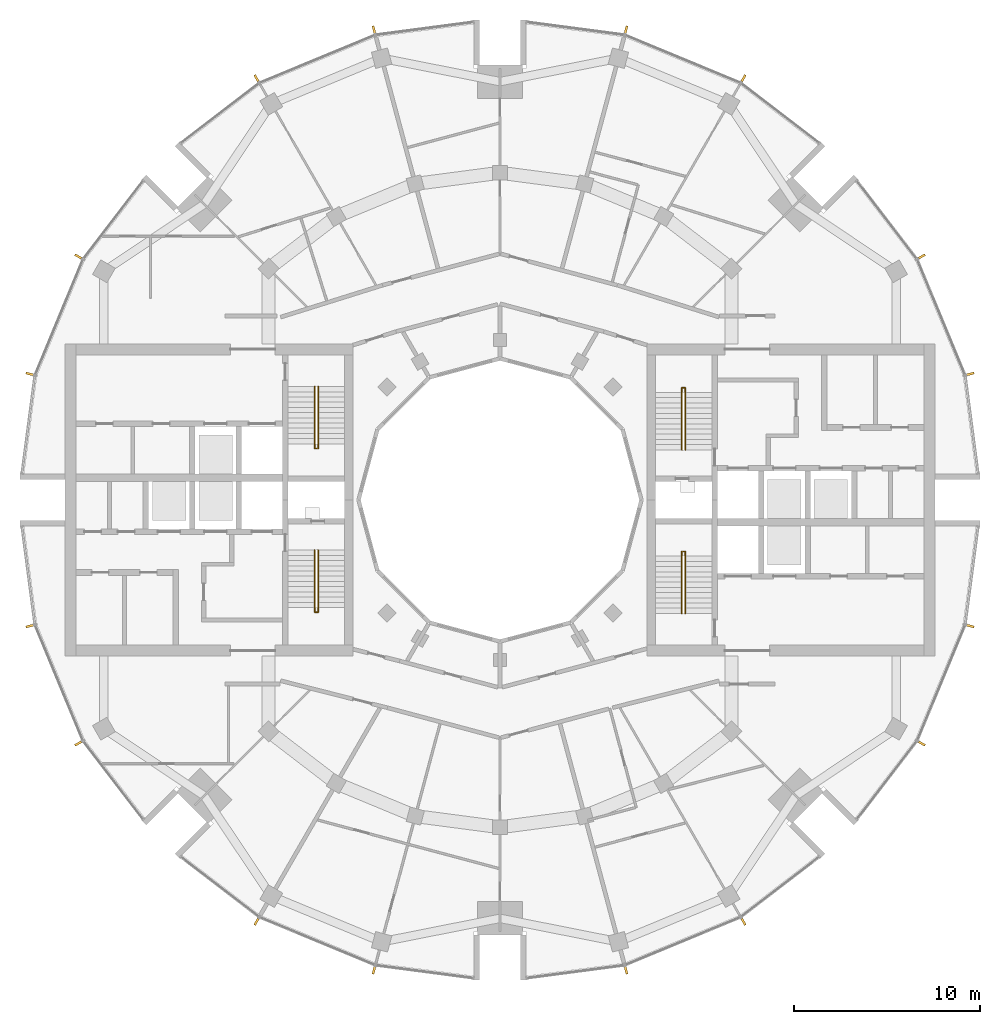
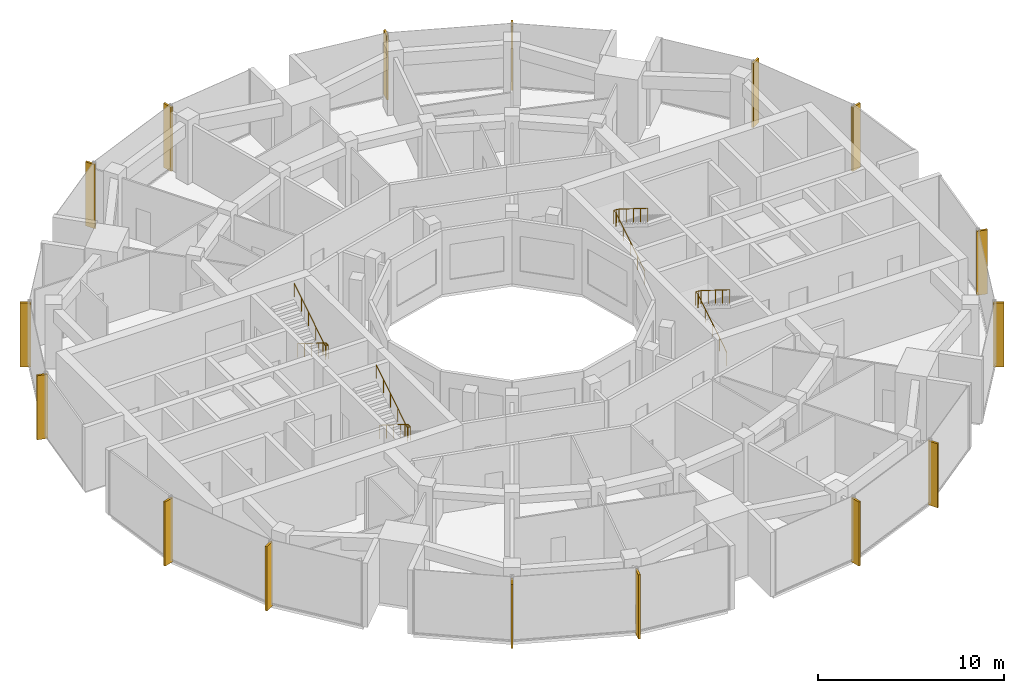
# One storey, part 14 of 15: 16 shading devices, 4 railings.
"""IFC4 building model written with IfcOpenShell, lengths in metres."""

import ifcopenshell
import ifcopenshell.guid

model = None  # the IFC model being written
_history = None  # IfcOwnerHistory: only IFC2X3 demands one
_inside = {}  # id of a spatial element -> (the spatial element, [elements in it])
_under = {}  # id of a project, library or spatial element -> (it, [spatial elements below it])
_declared = {}  # id of a project -> (the project, [libraries it declares])
_typed = {}  # id of a type object -> (the type object, [elements of that type])
_made_of = {}  # id of a material, layer set ... -> (it, [elements and type objects made of it])


def new_model(schema):
    """Start an empty IFC model of exactly this schema.

    Asked for "IFC4X3", IfcOpenShell would pick the latest addendum, in which some entities
    have other attributes; the version numbers below select the first issue.
    IFC2X3 requires an IfcOwnerHistory on every rooted entity: one is made here for all.
    """
    global model, _history
    if schema == "IFC4X3":
        model = ifcopenshell.file(schema_version=(4, 3, 0, 0))
    else:
        model = ifcopenshell.file(schema=schema)
    _inside.clear()
    _under.clear()
    _declared.clear()
    _typed.clear()
    _made_of.clear()
    _history = None
    if model.schema == "IFC2X3":
        org = make("IfcOrganization", Name="unknown")
        user = make(
            "IfcPersonAndOrganization",
            ThePerson=make("IfcPerson", FamilyName="unknown"),
            TheOrganization=org,
        )
        app = make(
            "IfcApplication",
            ApplicationDeveloper=org,
            Version="unknown",
            ApplicationFullName="unknown",
            ApplicationIdentifier="unknown",
        )
        _history = make(
            "IfcOwnerHistory",
            OwningUser=user,
            OwningApplication=app,
            ChangeAction="ADDED",
            CreationDate=0,
        )
    return model


def make(cls, **values):
    """One entity of the class cls with the attributes given. An attribute that is None is left unset."""
    return model.create_entity(
        cls, **{name: value for name, value in values.items() if value is not None}
    )


def rooted(cls, **values):
    """An entity with a GlobalId (a new one), such as an element, a storey or a relation."""
    return make(cls, GlobalId=ifcopenshell.guid.new(), OwnerHistory=_history, **values)


def si_unit(unit_type, name, prefix=None):
    """IfcSIUnit, for example si_unit("LENGTHUNIT", "METRE", prefix="MILLI")."""
    return make("IfcSIUnit", UnitType=unit_type, Prefix=prefix, Name=name)


def assignment(units):
    """IfcUnitAssignment: the units of a project."""
    return None if units is None else make("IfcUnitAssignment", Units=units)


def point(xyz):
    """IfcCartesianPoint."""
    return None if xyz is None else make("IfcCartesianPoint", Coordinates=xyz)


def direction(xyz):
    """IfcDirection."""
    return None if xyz is None else make("IfcDirection", DirectionRatios=xyz)


def frame(location, z_axis=None, x_axis=None):
    """IfcAxis2Placement3D, a coordinate frame: its origin and axes. An axis left out is left unset."""
    return make(
        "IfcAxis2Placement3D",
        Location=point(location),
        Axis=direction(z_axis),
        RefDirection=direction(x_axis),
    )


def frame_2d(location, x_axis=None):
    """IfcAxis2Placement2D, a coordinate frame in the plane: its origin and x axis."""
    return make(
        "IfcAxis2Placement2D", Location=point(location), RefDirection=direction(x_axis)
    )


def origin():
    """The frame at (0, 0, 0) with its axes left unset."""
    return frame((0.0, 0.0, 0.0))


def origin_2d():
    """The frame at (0, 0) in the plane with its x axis left unset."""
    return frame_2d((0.0, 0.0))


def place(relative_to, where):
    """IfcLocalPlacement: puts the frame where relative to a parent placement (None: the world)."""
    return make(
        "IfcLocalPlacement", PlacementRelTo=relative_to, RelativePlacement=where
    )


def context(
    kind, dimensions, precision=None, world=None, true_north=None, identifier=None
):
    """IfcGeometricRepresentationContext, for example the 3D "Model" context."""
    return make(
        "IfcGeometricRepresentationContext",
        ContextIdentifier=identifier,
        ContextType=kind,
        CoordinateSpaceDimension=dimensions,
        Precision=precision,
        WorldCoordinateSystem=world,
        TrueNorth=true_north,
    )


def subcontext(parent, identifier, kind, view, scale=None):
    """IfcGeometricRepresentationSubContext, for example "Body" below "Model"."""
    return make(
        "IfcGeometricRepresentationSubContext",
        ContextIdentifier=identifier,
        ContextType=kind,
        ParentContext=parent,
        TargetScale=scale,
        TargetView=view,
    )


def project(units=None, contexts=None):
    """IfcProject with its units and contexts."""
    return rooted(
        "IfcProject",
        Name="project",
        RepresentationContexts=contexts,
        UnitsInContext=assignment(units),
    )


def spatial(cls, under=None, at=None, **own):
    """A site, building, storey or space (cls), placed at a placement, below another one or the project."""
    s = rooted(cls, ObjectPlacement=at, **own)
    if under is not None:
        _under.setdefault(under.id(), (under, []))[1].append(s)
    return s


def profile(cls, at=None, kind="AREA", **sizes):
    """A parametric profile (cls). Its sizes go by their IFC names, for example OverallWidth=200.0."""
    return make(cls, ProfileType=kind, Position=at, **sizes)


def rectangle(**sizes):
    """IfcRectangleProfileDef."""
    return profile("IfcRectangleProfileDef", **sizes)


def circle(**sizes):
    """IfcCircleProfileDef."""
    return profile("IfcCircleProfileDef", **sizes)


def extrude(swept, where, along, depth):
    """IfcExtrudedAreaSolid: the profile swept, set in the frame where, extruded along a direction by depth."""
    return make(
        "IfcExtrudedAreaSolid",
        SweptArea=swept,
        Position=where,
        ExtrudedDirection=direction(along),
        Depth=depth,
    )


def shape(context_of_items, identifier, shape_type, items):
    """IfcShapeRepresentation: the items that make up one representation, for example the "Body"."""
    return make(
        "IfcShapeRepresentation",
        ContextOfItems=context_of_items,
        RepresentationIdentifier=identifier,
        RepresentationType=shape_type,
        Items=items,
    )


def material(Name=None, Category=None):
    """IfcMaterial."""
    return make("IfcMaterial", Name=Name, Category=Category)


def material_profile(
    of_material, cross_section, Name=None, Category=None, Priority=None
):
    """IfcMaterialProfile: a cross section and its material."""
    return make(
        "IfcMaterialProfile",
        Name=Name,
        Material=of_material,
        Profile=cross_section,
        Priority=Priority,
        Category=Category,
    )


def profile_set(profiles, Name=None, composite=None):
    """IfcMaterialProfileSet."""
    return make(
        "IfcMaterialProfileSet",
        Name=Name,
        MaterialProfiles=profiles,
        CompositeProfile=composite,
    )


def made_of(thing, what):
    """Note that an element or type object is made of a material, layer set ...; save() writes the relation."""
    if what is not None:
        _made_of.setdefault(what.id(), (what, []))[1].append(thing)
    return thing


def type_object(cls, material=None, **own):
    """A type object (cls), such as IfcWallType, which elements share."""
    return made_of(rooted(cls, **own), material)


def element(
    cls,
    number,
    at=None,
    inside=None,
    cuts=None,
    type_object=None,
    material=None,
    context=None,
    identifier="Body",
    shape_type=None,
    held_by="IfcProductDefinitionShape",
    body=None,
    shapes=None,
    **own,
):
    """One element of the class cls, such as IfcWall. Its Tag is "e" and its number.

    at: its placement. inside: the storey or other place that contains it. cuts: it is an
    opening in that element (IfcRelVoidsElement). A single representation is given by context,
    identifier, shape_type and body (its items); several are given by shapes. held_by: the class
    of the entity that holds the representations. save() writes the other relations.
    """
    e = rooted(cls, Tag="e%d" % number, ObjectPlacement=at, **own)
    if body is not None:
        shapes = [shape(context, identifier, shape_type, body)]
    if shapes is not None:
        e.Representation = make(held_by, Representations=shapes)
    if inside is not None:
        _inside.setdefault(inside.id(), (inside, []))[1].append(e)
    if cuts is not None:
        rooted(
            "IfcRelVoidsElement", RelatingBuildingElement=cuts, RelatedOpeningElement=e
        )
    if type_object is not None:
        _typed.setdefault(type_object.id(), (type_object, []))[1].append(e)
    return made_of(e, material)


def aggregate(whole, parts):
    """IfcRelAggregates: a whole, such as a stair, and the parts it consists of."""
    return rooted("IfcRelAggregates", RelatingObject=whole, RelatedObjects=parts)


def save(model, path):
    """Write the relations noted so far, then the file.

    IfcRelAggregates (storeys below a building ...), IfcRelContainedInSpatialStructure (elements
    in a storey), IfcRelDefinesByType, IfcRelAssociatesMaterial and IfcRelDeclares: one each for
    every whole, place, type object, material and project.
    """
    for whole, parts in _under.values():
        aggregate(whole, parts)
    for where, things in _inside.values():
        rooted(
            "IfcRelContainedInSpatialStructure",
            RelatedElements=things,
            RelatingStructure=where,
        )
    for kind, things in _typed.values():
        rooted("IfcRelDefinesByType", RelatedObjects=things, RelatingType=kind)
    for what, things in _made_of.values():
        rooted("IfcRelAssociatesMaterial", RelatedObjects=things, RelatingMaterial=what)
    for by, libraries in _declared.values():
        rooted("IfcRelDeclares", RelatingContext=by, RelatedDefinitions=libraries)
    model.write(path)


model = new_model("IFC4")

# Units and contexts
model_context = context("Model", 3, precision=1e-05, world=origin(), true_north=direction((0.0, 1.0)))
body_context = subcontext(model_context, "Body", "Model", "MODEL_VIEW")
ifc_project = project(units=[si_unit("LENGTHUNIT", "METRE"), si_unit("AREAUNIT", "SQUARE_METRE"), si_unit("VOLUMEUNIT", "CUBIC_METRE"), si_unit("PLANEANGLEUNIT", "RADIAN"), si_unit("MASSUNIT", "GRAM", prefix="KILO")], contexts=[model_context])

# Site, building, storey
site_placement = place(None, origin())
site = spatial("IfcSite", under=ifc_project, at=site_placement, CompositionType="ELEMENT")
building_placement = place(site_placement, origin())
building = spatial("IfcBuilding", under=site, at=building_placement, Name="Torre Brocal", CompositionType="ELEMENT")
storey_placement = place(building_placement, frame((0.0, 0.0, 241.5)))
storey = spatial("IfcBuildingStorey", under=building, at=storey_placement, Name="L55", CompositionType="ELEMENT", Elevation=241.5)

# Shading devices
ifc_material_1 = material(Name="Aluminium, black anodised", Category="aluminium")
ifc_material_profile = material_profile(ifc_material_1, rectangle(XDim=0.1201171875, YDim=0.60009765625, at=origin_2d()), Name="FIN 120X600 4200 HIGH")
ifc_profile_set = profile_set([ifc_material_profile], Name="Aluminium, black anodised")
shading_device_type = type_object("IfcShadingDeviceType", Name="FIN 120X600 4200 HIGH", PredefinedType="USERDEFINED", material=ifc_profile_set)
for number, where, z_axis, x_axis, name in (
    (1, (105.208984375, 81.754638671875, -0.14990234375), (0.0, 0.0, 1.0), (-0.258819045103, 0.965925826289, 0.0), "FIN"),
    (2, (102.601806640625, 88.049072265625, -0.14990234375), (0.0, 0.0, 1.0), (-0.5, 0.866025403784, 0.0), "FIN"),
    (3, (93.049072265625, 97.601806640625, -0.14990234375), (0.0, 0.0, 1.0), (-0.866025403784, 0.5, 0.0), "FIN"),
    (4, (86.754638671875, 100.208984375, -0.14990234375), (0.0, 0.0, 1.0), (-0.965925826289, 0.258819045103, 0.0), "FIN"),
    (5, (73.245361328125, 100.208984375, -0.14990234375), (0.0, 0.0, 1.0), (-0.965925826289, -0.258819045103, 0.0), "FIN"),
    (6, (66.950927734375, 97.601806640625, -0.14990234375), (0.0, 0.0, 1.0), (-0.866025403784, -0.5, 0.0), "FIN"),
    (7, (57.398193359375, 88.049072265625, -0.14990234375), (0.0, 0.0, 1.0), (-0.5, -0.866025403784, 0.0), "FIN"),
    (8, (54.791015625, 81.754638671875, -0.14990234375), (0.0, 0.0, 1.0), (-0.258819045103, -0.965925826289, 0.0), "FIN"),
    (9, (54.791015625, 68.245361328125, -0.14990234375), (0.0, 0.0, 1.0), (0.258819045103, -0.965925826289, 0.0), "FIN"),
    (10, (57.398193359375, 61.950927734375, -0.14990234375), (0.0, 0.0, 1.0), (0.5, -0.866025403784, 0.0), "FIN"),
    (11, (66.950927734375, 52.398193359375, -0.14990234375), (0.0, 0.0, 1.0), (0.866025403784, -0.5, 0.0), "FIN"),
    (12, (73.245361328125, 49.791015625, -0.14990234375), (0.0, 0.0, 1.0), (0.965925826289, -0.258819045103, 0.0), "FIN"),
    (13, (86.754638671875, 49.791015625, -0.14990234375), (0.0, 0.0, 1.0), (0.965925826289, 0.258819045103, 0.0), "FIN"),
    (14, (93.049072265625, 52.398193359375, -0.14990234375), (0.0, 0.0, 1.0), (0.866025403784, 0.5, 0.0), "FIN"),
    (15, (102.601806640625, 61.950927734375, -0.14990234375), (0.0, 0.0, 1.0), (0.5, 0.866025403784, 0.0), "FIN"),
    (16, (105.208984375, 68.245361328125, -0.14990234375), (0.0, 0.0, 1.0), (0.258819045103, 0.965925826289, 0.0), "FIN"),
):
    element("IfcShadingDevice", number, at=place(storey_placement, frame(where, z_axis=z_axis, x_axis=x_axis)), inside=storey, type_object=shading_device_type, Name=name, ObjectType="FIN", PredefinedType="USERDEFINED", context=body_context, shape_type="SweptSolid", body=[
        extrude(rectangle(XDim=0.1201171875, YDim=0.60009765625, at=origin_2d()), origin(), (0.0, 0.0, 1.0), 4.199951171875),
    ])

# Railings
ifc_material_2 = material(Name="Stainless steel AISI 316", Category="steel")
railing_type = type_object("IfcRailingType", Name="STAIR HANDRAIL", PredefinedType="HANDRAIL", material=ifc_material_2)
railing_1_placement = place(storey_placement, frame((89.780029296875, 77.699951171875, 0.175048828125)))
element("IfcRailing", 17, at=railing_1_placement, inside=storey, type_object=railing_type, Name="HANDRAIL ST1", PredefinedType="HANDRAIL", context=body_context, shape_type="SweptSolid", body=[
    extrude(circle(Radius=0.02392578125, at=origin_2d()), frame((0.0, 0.0, 0.8759765625), z_axis=(0.0, 0.847998304005, 0.529998940003), x_axis=(-1.0, 0.0, 0.0)), (0.0, 0.0, 1.0), 3.632080078125),
    extrude(circle(Radius=0.02392578125, at=origin_2d()), frame((0.0, 3.080078125, 2.80078125), z_axis=(0.0, 1.0, 0.0), x_axis=(-1.0, 0.0, 0.0)), (0.0, 0.0, 1.0), 0.25),
    extrude(circle(Radius=0.02392578125, at=origin_2d()), frame((0.0, 3.330078125, 2.80078125), z_axis=(1.0, 0.0, 0.0), x_axis=(0.0, 1.0, 0.0)), (0.0, 0.0, 1.0), 0.18994140625),
    extrude(circle(Radius=0.02392578125, at=origin_2d()), frame((0.18994140625, 3.330078125, 2.80078125), z_axis=(0.0, -0.81953260104, 0.573032560883), x_axis=(1.0, 0.0, 0.0)), (0.0, 0.0, 1.0), 0.304931640625),
    extrude(circle(Radius=0.02392578125, at=origin_2d()), frame((0.18994140625, 3.080078125, 2.9755859375), z_axis=(0.0, -0.847998304005, 0.529998940003), x_axis=(1.0, 0.0, 0.0)), (0.0, 0.0, 1.0), 3.632080078125),
    extrude(circle(Radius=0.02099609375, at=origin_2d()), origin(), (0.0, 0.0, 1.0), 0.851806640625),
    extrude(circle(Radius=0.02099609375, at=origin_2d()), frame((0.0, 0.77001953125, 0.481201171875)), (0.0, 0.0, 1.0), 0.851806640625),
    extrude(circle(Radius=0.02099609375, at=origin_2d()), frame((0.0, 1.5400390625, 0.96240234375)), (0.0, 0.0, 1.0), 0.851806640625),
    extrude(circle(Radius=0.02099609375, at=origin_2d()), frame((0.0, 2.31005859375, 1.44384765625)), (0.0, 0.0, 1.0), 0.851806640625),
    extrude(circle(Radius=0.02099609375, at=origin_2d()), frame((0.0, 3.080078125, 1.925048828125)), (0.0, 0.0, 1.0), 0.851806640625),
    extrude(circle(Radius=0.02099609375, at=origin_2d()), frame((0.0, 3.330078125, 1.925048828125)), (0.0, 0.0, 1.0), 0.851806640625),
    extrude(circle(Radius=0.02099609375, at=origin_2d()), frame((0.18994140625, 3.330078125, 1.925048828125)), (0.0, 0.0, 1.0), 0.851806640625),
    extrude(circle(Radius=0.02099609375, at=origin_2d()), frame((0.18994140625, 3.080078125, 2.099853515625)), (0.0, 0.0, 1.0), 0.851806640625),
    extrude(circle(Radius=0.02099609375, at=origin_2d()), frame((0.18994140625, 2.31005859375, 2.5810546875)), (0.0, 0.0, 1.0), 0.851806640625),
    extrude(circle(Radius=0.02099609375, at=origin_2d()), frame((0.18994140625, 1.5400390625, 3.0625)), (0.0, 0.0, 1.0), 0.851806640625),
    extrude(circle(Radius=0.02099609375, at=origin_2d()), frame((0.18994140625, 0.77001953125, 3.543701171875)), (0.0, 0.0, 1.0), 0.851806640625),
    extrude(circle(Radius=0.02099609375, at=origin_2d()), frame((0.18994140625, 0.0, 4.02490234375)), (0.0, 0.0, 1.0), 0.851806640625),
])
railing_2_placement = place(storey_placement, frame((89.780029296875, 68.89990234375, 0.175048828125)))
element("IfcRailing", 18, at=railing_2_placement, inside=storey, type_object=railing_type, Name="HANDRAIL ST2", PredefinedType="HANDRAIL", context=body_context, shape_type="SweptSolid", body=[
    extrude(circle(Radius=0.02392578125, at=origin_2d()), frame((0.0, 0.0, 0.8759765625), z_axis=(0.0, 0.847998304005, 0.529998940003), x_axis=(-1.0, 0.0, 0.0)), (0.0, 0.0, 1.0), 3.632080078125),
    extrude(circle(Radius=0.02392578125, at=origin_2d()), frame((0.0, 3.080078125, 2.80078125), z_axis=(0.0, 1.0, 0.0), x_axis=(-1.0, 0.0, 0.0)), (0.0, 0.0, 1.0), 0.25),
    extrude(circle(Radius=0.02392578125, at=origin_2d()), frame((0.0, 3.330078125, 2.80078125), z_axis=(1.0, 0.0, 0.0), x_axis=(0.0, 1.0, 0.0)), (0.0, 0.0, 1.0), 0.18994140625),
    extrude(circle(Radius=0.02392578125, at=origin_2d()), frame((0.18994140625, 3.330078125, 2.80078125), z_axis=(0.0, -0.81953260104, 0.573032560883), x_axis=(1.0, 0.0, 0.0)), (0.0, 0.0, 1.0), 0.304931640625),
    extrude(circle(Radius=0.02392578125, at=origin_2d()), frame((0.18994140625, 3.080078125, 2.9755859375), z_axis=(0.0, -0.847998304005, 0.529998940003), x_axis=(1.0, 0.0, 0.0)), (0.0, 0.0, 1.0), 3.632080078125),
    extrude(circle(Radius=0.02099609375, at=origin_2d()), origin(), (0.0, 0.0, 1.0), 0.851806640625),
    extrude(circle(Radius=0.02099609375, at=origin_2d()), frame((0.0, 0.77001953125, 0.481201171875)), (0.0, 0.0, 1.0), 0.851806640625),
    extrude(circle(Radius=0.02099609375, at=origin_2d()), frame((0.0, 1.5400390625, 0.96240234375)), (0.0, 0.0, 1.0), 0.851806640625),
    extrude(circle(Radius=0.02099609375, at=origin_2d()), frame((0.0, 2.31005859375, 1.44384765625)), (0.0, 0.0, 1.0), 0.851806640625),
    extrude(circle(Radius=0.02099609375, at=origin_2d()), frame((0.0, 3.080078125, 1.925048828125)), (0.0, 0.0, 1.0), 0.851806640625),
    extrude(circle(Radius=0.02099609375, at=origin_2d()), frame((0.0, 3.330078125, 1.925048828125)), (0.0, 0.0, 1.0), 0.851806640625),
    extrude(circle(Radius=0.02099609375, at=origin_2d()), frame((0.18994140625, 3.330078125, 1.925048828125)), (0.0, 0.0, 1.0), 0.851806640625),
    extrude(circle(Radius=0.02099609375, at=origin_2d()), frame((0.18994140625, 3.080078125, 2.099853515625)), (0.0, 0.0, 1.0), 0.851806640625),
    extrude(circle(Radius=0.02099609375, at=origin_2d()), frame((0.18994140625, 2.31005859375, 2.5810546875)), (0.0, 0.0, 1.0), 0.851806640625),
    extrude(circle(Radius=0.02099609375, at=origin_2d()), frame((0.18994140625, 1.5400390625, 3.0625)), (0.0, 0.0, 1.0), 0.851806640625),
    extrude(circle(Radius=0.02099609375, at=origin_2d()), frame((0.18994140625, 0.77001953125, 3.543701171875)), (0.0, 0.0, 1.0), 0.851806640625),
    extrude(circle(Radius=0.02099609375, at=origin_2d()), frame((0.18994140625, 0.0, 4.02490234375)), (0.0, 0.0, 1.0), 0.851806640625),
])
railing_3_placement = place(storey_placement, frame((70.219970703125, 72.300048828125, 0.175048828125)))
element("IfcRailing", 19, at=railing_3_placement, inside=storey, type_object=railing_type, Name="HANDRAIL ST3", PredefinedType="HANDRAIL", context=body_context, shape_type="SweptSolid", body=[
    extrude(circle(Radius=0.02392578125, at=origin_2d()), frame((0.0, 0.0, 0.8759765625), z_axis=(0.0, -0.847998304005, 0.529998940003), x_axis=(1.0, 0.0, 0.0)), (0.0, 0.0, 1.0), 3.632080078125),
    extrude(circle(Radius=0.02392578125, at=origin_2d()), frame((0.0, -3.080078125, 2.80078125), z_axis=(0.0, -1.0, 0.0), x_axis=(1.0, 0.0, 0.0)), (0.0, 0.0, 1.0), 0.25),
    extrude(circle(Radius=0.02392578125, at=origin_2d()), frame((0.0, -3.330078125, 2.80078125), z_axis=(-1.0, 0.0, 0.0), x_axis=(0.0, -1.0, 0.0)), (0.0, 0.0, 1.0), 0.18994140625),
    extrude(circle(Radius=0.02392578125, at=origin_2d()), frame((-0.18994140625, -3.330078125, 2.80078125), z_axis=(0.0, 0.81953260104, 0.573032560883), x_axis=(-1.0, 0.0, 0.0)), (0.0, 0.0, 1.0), 0.304931640625),
    extrude(circle(Radius=0.02392578125, at=origin_2d()), frame((-0.18994140625, -3.080078125, 2.9755859375), z_axis=(0.0, 0.847998304005, 0.529998940003), x_axis=(-1.0, 0.0, 0.0)), (0.0, 0.0, 1.0), 3.632080078125),
    extrude(circle(Radius=0.02099609375, at=origin_2d()), origin(), (0.0, 0.0, 1.0), 0.851806640625),
    extrude(circle(Radius=0.02099609375, at=origin_2d()), frame((0.0, -0.77001953125, 0.481201171875)), (0.0, 0.0, 1.0), 0.851806640625),
    extrude(circle(Radius=0.02099609375, at=origin_2d()), frame((0.0, -1.5400390625, 0.96240234375)), (0.0, 0.0, 1.0), 0.851806640625),
    extrude(circle(Radius=0.02099609375, at=origin_2d()), frame((0.0, -2.31005859375, 1.44384765625)), (0.0, 0.0, 1.0), 0.851806640625),
    extrude(circle(Radius=0.02099609375, at=origin_2d()), frame((0.0, -3.080078125, 1.925048828125)), (0.0, 0.0, 1.0), 0.851806640625),
    extrude(circle(Radius=0.02099609375, at=origin_2d()), frame((0.0, -3.330078125, 1.925048828125)), (0.0, 0.0, 1.0), 0.851806640625),
    extrude(circle(Radius=0.02099609375, at=origin_2d()), frame((-0.18994140625, -3.330078125, 1.925048828125)), (0.0, 0.0, 1.0), 0.851806640625),
    extrude(circle(Radius=0.02099609375, at=origin_2d()), frame((-0.18994140625, -3.080078125, 2.099853515625)), (0.0, 0.0, 1.0), 0.851806640625),
    extrude(circle(Radius=0.02099609375, at=origin_2d()), frame((-0.18994140625, -2.31005859375, 2.5810546875)), (0.0, 0.0, 1.0), 0.851806640625),
    extrude(circle(Radius=0.02099609375, at=origin_2d()), frame((-0.18994140625, -1.5400390625, 3.0625)), (0.0, 0.0, 1.0), 0.851806640625),
    extrude(circle(Radius=0.02099609375, at=origin_2d()), frame((-0.18994140625, -0.77001953125, 3.543701171875)), (0.0, 0.0, 1.0), 0.851806640625),
    extrude(circle(Radius=0.02099609375, at=origin_2d()), frame((-0.18994140625, 0.0, 4.02490234375)), (0.0, 0.0, 1.0), 0.851806640625),
])
railing_4_placement = place(storey_placement, frame((70.219970703125, 81.10009765625, 0.175048828125)))
element("IfcRailing", 20, at=railing_4_placement, inside=storey, type_object=railing_type, Name="HANDRAIL ST4", PredefinedType="HANDRAIL", context=body_context, shape_type="SweptSolid", body=[
    extrude(circle(Radius=0.02392578125, at=origin_2d()), frame((0.0, 0.0, 0.8759765625), z_axis=(0.0, -0.847998304005, 0.529998940003), x_axis=(1.0, 0.0, 0.0)), (0.0, 0.0, 1.0), 3.632080078125),
    extrude(circle(Radius=0.02392578125, at=origin_2d()), frame((0.0, -3.080078125, 2.80078125), z_axis=(0.0, -1.0, 0.0), x_axis=(1.0, 0.0, 0.0)), (0.0, 0.0, 1.0), 0.25),
    extrude(circle(Radius=0.02392578125, at=origin_2d()), frame((0.0, -3.330078125, 2.80078125), z_axis=(-1.0, 0.0, 0.0), x_axis=(0.0, -1.0, 0.0)), (0.0, 0.0, 1.0), 0.18994140625),
    extrude(circle(Radius=0.02392578125, at=origin_2d()), frame((-0.18994140625, -3.330078125, 2.80078125), z_axis=(0.0, 0.81953260104, 0.573032560883), x_axis=(-1.0, 0.0, 0.0)), (0.0, 0.0, 1.0), 0.304931640625),
    extrude(circle(Radius=0.02392578125, at=origin_2d()), frame((-0.18994140625, -3.080078125, 2.9755859375), z_axis=(0.0, 0.847998304005, 0.529998940003), x_axis=(-1.0, 0.0, 0.0)), (0.0, 0.0, 1.0), 3.632080078125),
    extrude(circle(Radius=0.02099609375, at=origin_2d()), origin(), (0.0, 0.0, 1.0), 0.851806640625),
    extrude(circle(Radius=0.02099609375, at=origin_2d()), frame((0.0, -0.77001953125, 0.481201171875)), (0.0, 0.0, 1.0), 0.851806640625),
    extrude(circle(Radius=0.02099609375, at=origin_2d()), frame((0.0, -1.5400390625, 0.96240234375)), (0.0, 0.0, 1.0), 0.851806640625),
    extrude(circle(Radius=0.02099609375, at=origin_2d()), frame((0.0, -2.31005859375, 1.44384765625)), (0.0, 0.0, 1.0), 0.851806640625),
    extrude(circle(Radius=0.02099609375, at=origin_2d()), frame((0.0, -3.080078125, 1.925048828125)), (0.0, 0.0, 1.0), 0.851806640625),
    extrude(circle(Radius=0.02099609375, at=origin_2d()), frame((0.0, -3.330078125, 1.925048828125)), (0.0, 0.0, 1.0), 0.851806640625),
    extrude(circle(Radius=0.02099609375, at=origin_2d()), frame((-0.18994140625, -3.330078125, 1.925048828125)), (0.0, 0.0, 1.0), 0.851806640625),
    extrude(circle(Radius=0.02099609375, at=origin_2d()), frame((-0.18994140625, -3.080078125, 2.099853515625)), (0.0, 0.0, 1.0), 0.851806640625),
    extrude(circle(Radius=0.02099609375, at=origin_2d()), frame((-0.18994140625, -2.31005859375, 2.5810546875)), (0.0, 0.0, 1.0), 0.851806640625),
    extrude(circle(Radius=0.02099609375, at=origin_2d()), frame((-0.18994140625, -1.5400390625, 3.0625)), (0.0, 0.0, 1.0), 0.851806640625),
    extrude(circle(Radius=0.02099609375, at=origin_2d()), frame((-0.18994140625, -0.77001953125, 3.543701171875)), (0.0, 0.0, 1.0), 0.851806640625),
    extrude(circle(Radius=0.02099609375, at=origin_2d()), frame((-0.18994140625, 0.0, 4.02490234375)), (0.0, 0.0, 1.0), 0.851806640625),
])

save(model, "model.ifc")
